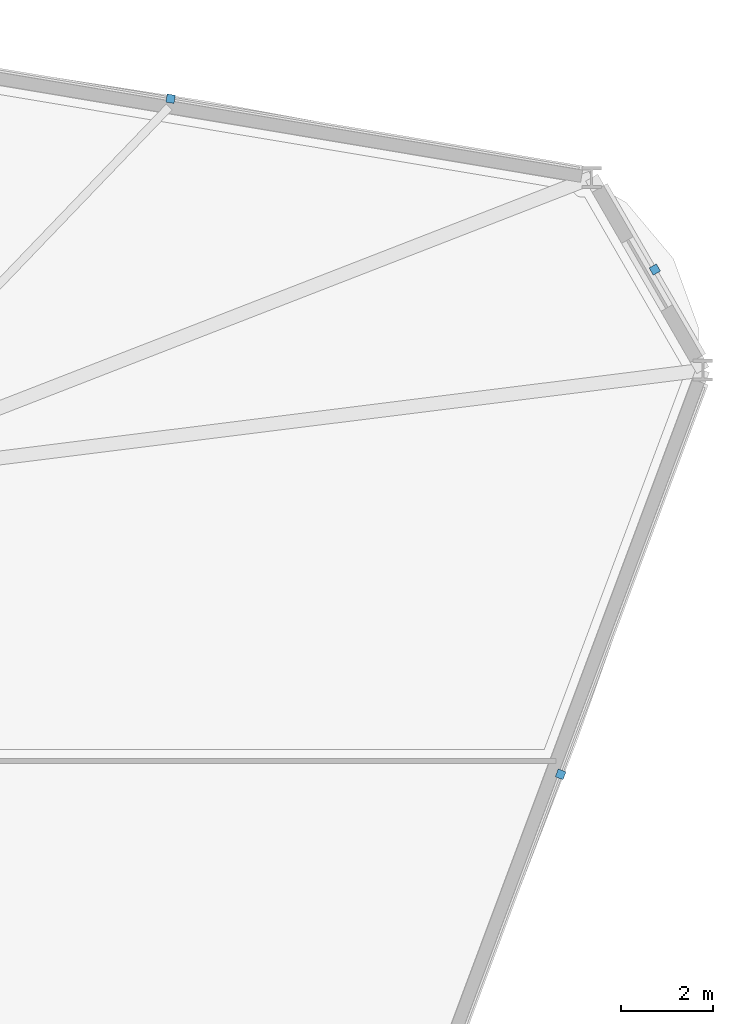
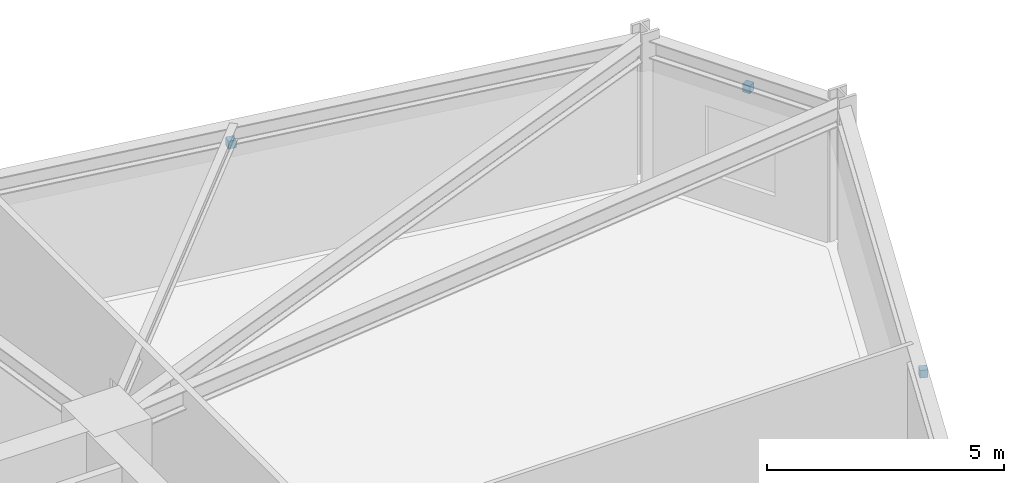
# One storey, part 19 of 22: 3 discrete accessories.
"""IFC4 building model written with IfcOpenShell, lengths in metres."""

from ifc_helpers import new_model, si_unit, derived_unit, direction, frame, origin, origin_2d, place, context, subcontext, project, spatial, rectangle, extrude, source, transform, mapped, material, type_object, element, save


model = new_model("IFC4")

# Units and contexts
model_context = context("Model", 3, precision=1e-05, world=origin(), true_north=direction((0.0, 1.0)))
body_context = subcontext(model_context, "Body", "Model", "MODEL_VIEW")
ifc_project = project(units=[si_unit("LENGTHUNIT", "METRE"), si_unit("AREAUNIT", "SQUARE_METRE"), si_unit("VOLUMEUNIT", "CUBIC_METRE"), si_unit("PLANEANGLEUNIT", "RADIAN"), si_unit("MASSUNIT", "GRAM", prefix="KILO"), derived_unit("THERMALTRANSMITTANCEUNIT", [(si_unit("POWERUNIT", "WATT"), 1), (si_unit("LENGTHUNIT", "METRE"), -2), (si_unit("THERMODYNAMICTEMPERATUREUNIT", "KELVIN"), -1)])], contexts=[model_context])

# Site, building, storey
site_placement = place(None, origin())
site = spatial("IfcSite", under=ifc_project, at=site_placement, CompositionType="ELEMENT")
building_placement = place(site_placement, origin())
building = spatial("IfcBuilding", under=site, at=building_placement, Name="Korsvarv Bourse and Concert Hall", CompositionType="ELEMENT")
storey_placement = place(building_placement, frame((0.0, 0.0, 51.300048828125)))
storey = spatial("IfcBuildingStorey", under=building, at=storey_placement, Name="L12", CompositionType="ELEMENT", Elevation=51.300048828125)

# Discrete accessories
ifc_material = material(Name="Stainless Steel S355 facade outrigger bracket", Category="steel")
discrete_accessory_type = type_object("IfcDiscreteAccessoryType", Name="ACC-BRK-1", PredefinedType="BRACKET", material=ifc_material)
shared_shape = source(origin(), body_context, "Body", "SweptSolid", [
    extrude(rectangle(XDim=0.179931640625, YDim=0.179931640625, at=origin_2d()), origin(), (0.0, 0.0, 1.0), 0.199951171875),
])
for number, where, z_axis, x_axis, name in (
    (1, (63.436279296875, 51.840576171875, 2.97021484375), (0.0, 0.0, 1.0), (-0.5, 0.866025403784, 0.0), "L12 terracotta sunshade bracket EW-L12-B01"),
    (2, (52.956787109375, 55.53662109375, 2.97021484375), (0.0, 0.0, 1.0), (-0.986285601537, 0.165047605861, 0.0), "L12 terracotta sunshade bracket EW-L12-B02"),
    (3, (61.3974609375, 40.916748046875, 2.97021484375), (0.0, 0.0, 1.0), (0.350207381259, 0.936672189248, 0.0), "L12 terracotta sunshade bracket EW-L12-B12"),
):
    element("IfcDiscreteAccessory", number, at=place(storey_placement, frame(where, z_axis=z_axis, x_axis=x_axis)), inside=storey, type_object=discrete_accessory_type, Name=name, PredefinedType="BRACKET", context=body_context, shape_type="MappedRepresentation", body=[
        mapped(shared_shape, transform((0.0, 0.0, 0.0), scale=1.0)),
    ])

save(model, "model.ifc")
